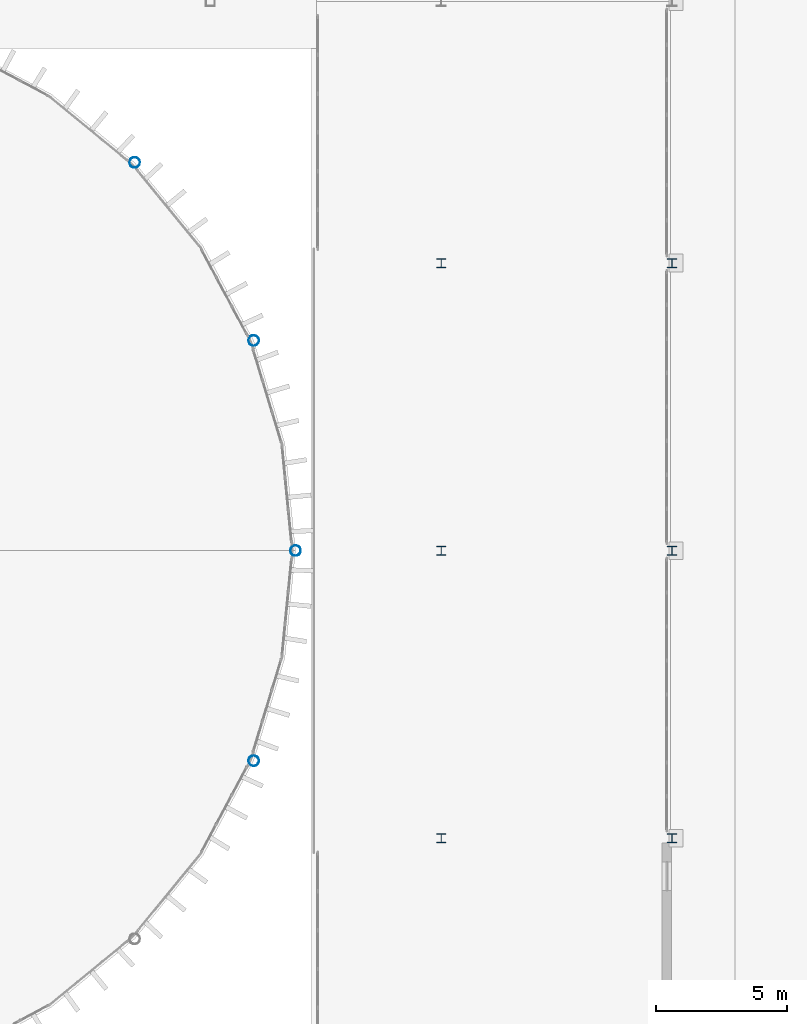
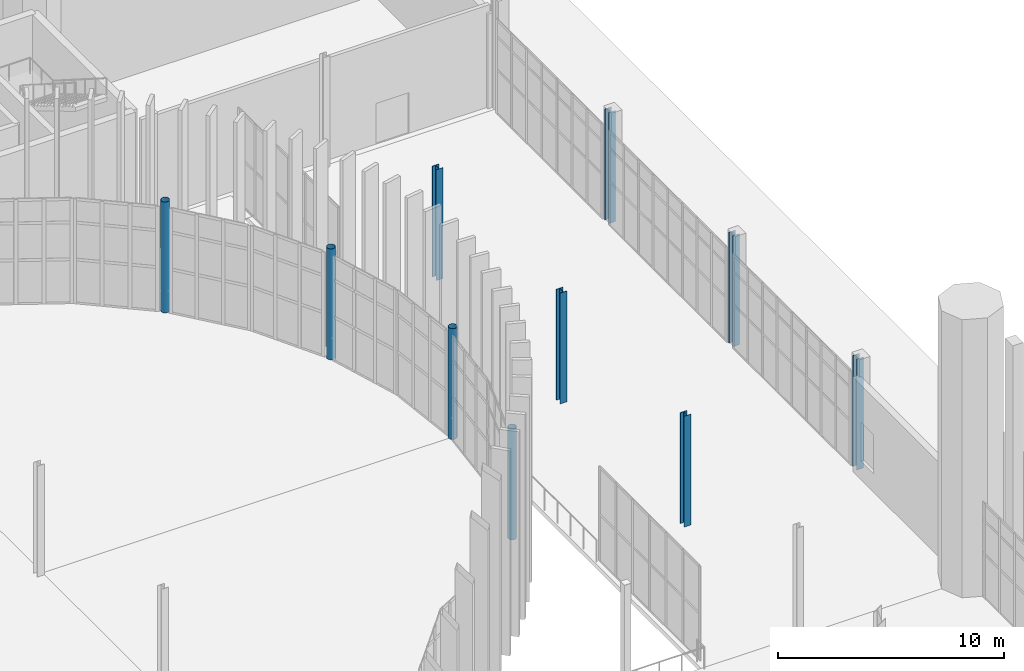
# One storey, part 20 of 139: 10 columns.
"""IFC4 building model written with IfcOpenShell, lengths in metres."""

from ifc_helpers import new_model, si_unit, direction, frame, origin, origin_2d, place, context, subcontext, project, spatial, hollow_circle, i_section, extrude, material, material_profile, profile_set, type_object, element, save


model = new_model("IFC4")

# Units and contexts
model_context = context("Model", 3, precision=1e-05, world=origin(), true_north=direction((0.0, 1.0)))
body_context = subcontext(model_context, "Body", "Model", "MODEL_VIEW")
ifc_project = project(units=[si_unit("LENGTHUNIT", "METRE"), si_unit("AREAUNIT", "SQUARE_METRE"), si_unit("VOLUMEUNIT", "CUBIC_METRE"), si_unit("PLANEANGLEUNIT", "RADIAN"), si_unit("MASSUNIT", "GRAM", prefix="KILO")], contexts=[model_context])

# Site, building, storey
site_placement = place(None, origin())
site = spatial("IfcSite", under=ifc_project, at=site_placement, CompositionType="ELEMENT")
building_placement = place(site_placement, origin())
building = spatial("IfcBuilding", under=site, at=building_placement, Name="Yeouljin Market Hall", CompositionType="ELEMENT")
storey_placement = place(building_placement, origin())
storey = spatial("IfcBuildingStorey", under=building, at=storey_placement, Name="L00", CompositionType="ELEMENT", Elevation=0.0)

# Columns
ifc_material_1 = material(Name="Steel SM355", Category="steel")
ifc_material_profile_1 = material_profile(ifc_material_1, hollow_circle(Radius=0.203125, WallThickness=0.011962890625, at=origin_2d()), Name="CHS-406.4x12")
ifc_profile_set_1 = profile_set([ifc_material_profile_1], Name="Steel SM355")
column_type_1 = type_object("IfcColumnType", Name="Col_CHS-406.4x12", PredefinedType="COLUMN", material=ifc_profile_set_1)
for number, where, z_axis, x_axis, name in (
    (1, (160.401611328125, 48.963623046875, 0.0), (0.0, 0.0, 1.0), (1.0, 0.0, 0.0), "Column AP-E06 (L00)"),
    (2, (162.0, 57.0, 0.0), (0.0, 0.0, 1.0), (1.0, 0.0, 0.0), "Column AP-E08 (L00)"),
    (3, (160.401611328125, 65.036376953125, 0.0), (0.0, 0.0, 1.0), (1.0, 0.0, 0.0), "Column AP-E10 (L00)"),
    (4, (155.84912109375, 71.84912109375, 0.0), (0.0, 0.0, 1.0), (1.0, 0.0, 0.0), "Column AP-E12 (L00)"),
):
    element("IfcColumn", number, at=place(storey_placement, frame(where, z_axis=z_axis, x_axis=x_axis)), inside=storey, type_object=column_type_1, Name=name, PredefinedType="COLUMN", context=body_context, shape_type="SweptSolid", body=[
        extrude(hollow_circle(Radius=0.203125, WallThickness=0.011962890625, at=origin_2d()), origin(), (0.0, 0.0, 1.0), 6.0),
    ])
ifc_material_2 = material(Name="Steel SM355", Category="steel")
ifc_material_profile_2 = material_profile(ifc_material_2, i_section(OverallWidth=0.35009765625, OverallDepth=0.35009765625, WebThickness=0.011962890625, FlangeThickness=0.01904296875, FilletRadius=0.02001953125, at=origin_2d()), Name="H-350x350x12x19")
ifc_profile_set_2 = profile_set([ifc_material_profile_2], Name="Steel SM355")
column_type_2 = type_object("IfcColumnType", Name="Col_H-350x350x12x19", PredefinedType="COLUMN", material=ifc_profile_set_2)
for number, where, z_axis, x_axis, name in (
    (5, (167.570068359375, 46.0, 0.0), (0.0, 0.0, 1.0), (1.0, 0.0, 0.0), "Column G-20-05 (L00)"),
    (6, (167.570068359375, 57.0, 0.0), (0.0, 0.0, 1.0), (1.0, 0.0, 0.0), "Column G-20-06 (L00)"),
    (7, (167.570068359375, 68.0, 0.0), (0.0, 0.0, 1.0), (1.0, 0.0, 0.0), "Column G-20-07 (L00)"),
    (8, (176.39990234375, 46.0, 0.0), (0.0, 0.0, 1.0), (1.0, 0.0, 0.0), "Column G-21-05 (L00)"),
    (9, (176.39990234375, 57.0, 0.0), (0.0, 0.0, 1.0), (1.0, 0.0, 0.0), "Column G-21-06 (L00)"),
    (10, (176.39990234375, 68.0, 0.0), (0.0, 0.0, 1.0), (1.0, 0.0, 0.0), "Column G-21-07 (L00)"),
):
    element("IfcColumn", number, at=place(storey_placement, frame(where, z_axis=z_axis, x_axis=x_axis)), inside=storey, type_object=column_type_2, Name=name, PredefinedType="COLUMN", context=body_context, shape_type="SweptSolid", body=[
        extrude(i_section(OverallWidth=0.35009765625, OverallDepth=0.35009765625, WebThickness=0.011962890625, FlangeThickness=0.01904296875, FilletRadius=0.02001953125, at=origin_2d()), origin(), (0.0, 0.0, 1.0), 6.0),
    ])

save(model, "model.ifc")
